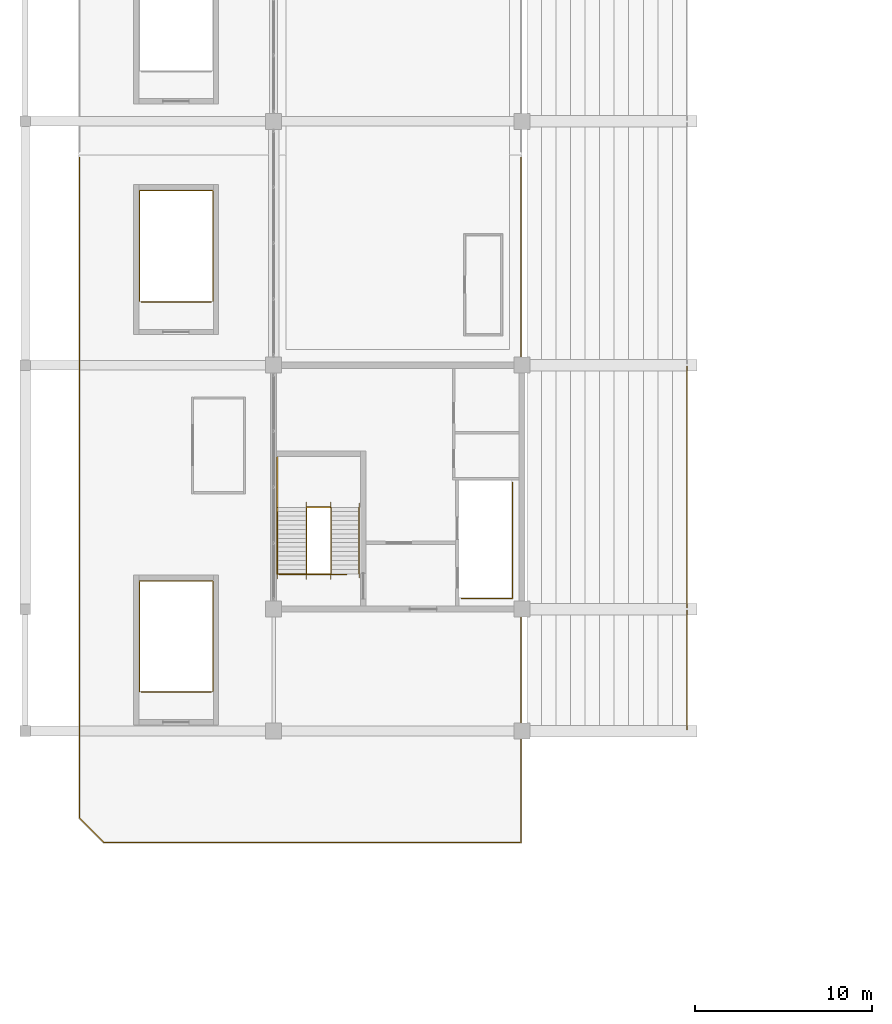
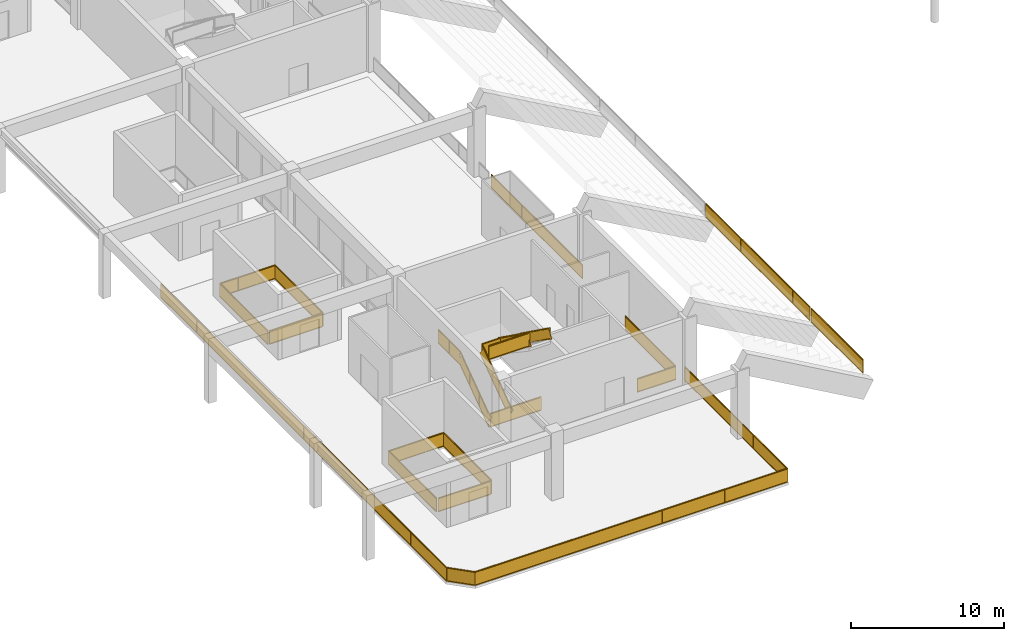
# One storey, part 80 of 90: 14 railings.
"""IFC4 building model written with IfcOpenShell, lengths in metres."""

from ifc_helpers import new_model, si_unit, direction, frame, origin, origin_2d, place, context, subcontext, project, spatial, rectangle, extrude, material, type_object, element, save


model = new_model("IFC4")

# Units and contexts
model_context = context("Model", 3, precision=1e-05, world=origin(), true_north=direction((0.0, 1.0)))
body_context = subcontext(model_context, "Body", "Model", "MODEL_VIEW")
ifc_project = project(units=[si_unit("LENGTHUNIT", "METRE"), si_unit("AREAUNIT", "SQUARE_METRE"), si_unit("VOLUMEUNIT", "CUBIC_METRE"), si_unit("PLANEANGLEUNIT", "RADIAN"), si_unit("MASSUNIT", "GRAM", prefix="KILO")], contexts=[model_context])

# Site, building, storey
site_placement = place(None, origin())
site = spatial("IfcSite", under=ifc_project, at=site_placement, CompositionType="ELEMENT")
building_placement = place(site_placement, origin())
building = spatial("IfcBuilding", under=site, at=building_placement, Name="Linyun Crest Stadium", CompositionType="ELEMENT")
storey_placement = place(building_placement, frame((0.0, 0.0, 21.0)))
storey = spatial("IfcBuildingStorey", under=building, at=storey_placement, Name="L05", CompositionType="ELEMENT", Elevation=21.0)

# Railings
ifc_material_1 = material(Name="Galvanized and powder-coated steel bowl safety barrier", Category="steel")
railing_type_1 = type_object("IfcRailingType", Name="GR02", PredefinedType="GUARDRAIL", material=ifc_material_1)
railing_1_placement = place(storey_placement, frame((-60.699951171875, -45.919921875, 1.550048828125)))
element("IfcRailing", 1, at=railing_1_placement, inside=storey, type_object=railing_type_1, Name="Bowl front safety guard GR02 4", PredefinedType="GUARDRAIL", context=body_context, shape_type="SweptSolid", body=[
    extrude(rectangle(XDim=0.06005859375, YDim=0.06005859375, at=origin_2d()), frame((0.0, 0.0, 1.090087890625), z_axis=(0.0, 1.0, 0.0), x_axis=(-1.0, 0.0, 0.0)), (0.0, 0.0, 1.0), 6.71484375),
    extrude(rectangle(XDim=0.030029296875, YDim=1.0, at=origin_2d()), frame((0.0, 0.0, 0.56005859375), z_axis=(0.0, 1.0, 0.0), x_axis=(-1.0, 0.0, 0.0)), (0.0, 0.0, 1.0), 6.71484375),
    extrude(rectangle(XDim=0.06005859375, YDim=0.06005859375, at=origin_2d()), frame((0.0, 0.0, 0.030029296875), z_axis=(0.0, 1.0, 0.0), x_axis=(-1.0, 0.0, 0.0)), (0.0, 0.0, 1.0), 6.71484375),
    extrude(rectangle(XDim=0.050048828125, YDim=0.050048828125, at=origin_2d()), origin(), (0.0, 0.0, 1.0), 1.1201171875),
    extrude(rectangle(XDim=0.050048828125, YDim=0.050048828125, at=origin_2d()), frame((0.0, 2.23828125, 0.0)), (0.0, 0.0, 1.0), 1.1201171875),
    extrude(rectangle(XDim=0.050048828125, YDim=0.050048828125, at=origin_2d()), frame((0.0, 4.4765625, 0.0)), (0.0, 0.0, 1.0), 1.1201171875),
    extrude(rectangle(XDim=0.050048828125, YDim=0.050048828125, at=origin_2d()), frame((0.0, 6.71484375, 0.0)), (0.0, 0.0, 1.0), 1.1201171875),
])
railing_2_placement = place(storey_placement, frame((-60.699951171875, -39.044921875, 1.550048828125)))
element("IfcRailing", 2, at=railing_2_placement, inside=storey, type_object=railing_type_1, Name="Bowl front safety guard GR02 12", PredefinedType="GUARDRAIL", context=body_context, shape_type="SweptSolid", body=[
    extrude(rectangle(XDim=0.06005859375, YDim=0.06005859375, at=origin_2d()), frame((0.0, 0.0, 1.090087890625), z_axis=(0.0, 1.0, 0.0), x_axis=(-1.0, 0.0, 0.0)), (0.0, 0.0, 1.0), 13.58984375),
    extrude(rectangle(XDim=0.030029296875, YDim=1.0, at=origin_2d()), frame((0.0, 0.0, 0.56005859375), z_axis=(0.0, 1.0, 0.0), x_axis=(-1.0, 0.0, 0.0)), (0.0, 0.0, 1.0), 13.58984375),
    extrude(rectangle(XDim=0.06005859375, YDim=0.06005859375, at=origin_2d()), frame((0.0, 0.0, 0.030029296875), z_axis=(0.0, 1.0, 0.0), x_axis=(-1.0, 0.0, 0.0)), (0.0, 0.0, 1.0), 13.58984375),
    extrude(rectangle(XDim=0.050048828125, YDim=0.050048828125, at=origin_2d()), origin(), (0.0, 0.0, 1.0), 1.1201171875),
    extrude(rectangle(XDim=0.050048828125, YDim=0.050048828125, at=origin_2d()), frame((0.0, 2.264892578125, 0.0)), (0.0, 0.0, 1.0), 1.1201171875),
    extrude(rectangle(XDim=0.050048828125, YDim=0.050048828125, at=origin_2d()), frame((0.0, 4.530029296875, 0.0)), (0.0, 0.0, 1.0), 1.1201171875),
    extrude(rectangle(XDim=0.050048828125, YDim=0.050048828125, at=origin_2d()), frame((0.0, 6.794921875, 0.0)), (0.0, 0.0, 1.0), 1.1201171875),
    extrude(rectangle(XDim=0.050048828125, YDim=0.050048828125, at=origin_2d()), frame((0.0, 9.059814453125, 0.0)), (0.0, 0.0, 1.0), 1.1201171875),
    extrude(rectangle(XDim=0.050048828125, YDim=0.050048828125, at=origin_2d()), frame((0.0, 11.324951171875, 0.0)), (0.0, 0.0, 1.0), 1.1201171875),
    extrude(rectangle(XDim=0.050048828125, YDim=0.050048828125, at=origin_2d()), frame((0.0, 13.58984375, 0.0)), (0.0, 0.0, 1.0), 1.1201171875),
])
railing_3_placement = place(storey_placement, frame((-93.574951171875, -52.27490234375, 0.0)))
element("IfcRailing", 3, at=railing_3_placement, inside=storey, type_object=railing_type_1, Name="Slab edge balustrade GR02 66", PredefinedType="GUARDRAIL", context=body_context, shape_type="SweptSolid", body=[
    extrude(rectangle(XDim=0.06005859375, YDim=0.06005859375, at=origin_2d()), frame((0.0, 0.0, 1.090087890625), z_axis=(-0.707106781187, 0.707106781187, 0.0), x_axis=(-0.707106781187, -0.707106781187, 0.0)), (0.0, 0.0, 1.0), 1.930419921875),
    extrude(rectangle(XDim=0.030029296875, YDim=1.0, at=origin_2d()), frame((0.0, 0.0, 0.56005859375), z_axis=(-0.707106781187, 0.707106781187, 0.0), x_axis=(-0.707106781187, -0.707106781187, 0.0)), (0.0, 0.0, 1.0), 1.930419921875),
    extrude(rectangle(XDim=0.06005859375, YDim=0.06005859375, at=origin_2d()), frame((0.0, 0.0, 0.030029296875), z_axis=(-0.707106781187, 0.707106781187, 0.0), x_axis=(-0.707106781187, -0.707106781187, 0.0)), (0.0, 0.0, 1.0), 1.930419921875),
    extrude(rectangle(XDim=0.06005859375, YDim=0.06005859375, at=origin_2d()), frame((-1.364990234375, 1.364990234375, 1.090087890625), z_axis=(0.0, 1.0, 0.0), x_axis=(-1.0, 0.0, 0.0)), (0.0, 0.0, 1.0), 37.239990234375),
    extrude(rectangle(XDim=0.030029296875, YDim=1.0, at=origin_2d()), frame((-1.364990234375, 1.364990234375, 0.56005859375), z_axis=(0.0, 1.0, 0.0), x_axis=(-1.0, 0.0, 0.0)), (0.0, 0.0, 1.0), 37.239990234375),
    extrude(rectangle(XDim=0.06005859375, YDim=0.06005859375, at=origin_2d()), frame((-1.364990234375, 1.364990234375, 0.030029296875), z_axis=(0.0, 1.0, 0.0), x_axis=(-1.0, 0.0, 0.0)), (0.0, 0.0, 1.0), 37.239990234375),
    extrude(rectangle(XDim=0.050048828125, YDim=0.050048828125, at=origin_2d()), origin(), (0.0, 0.0, 1.0), 1.1201171875),
    extrude(rectangle(XDim=0.050048828125, YDim=0.050048828125, at=origin_2d()), frame((-1.364990234375, 1.364990234375, 0.0)), (0.0, 0.0, 1.0), 1.1201171875),
    extrude(rectangle(XDim=0.050048828125, YDim=0.050048828125, at=origin_2d()), frame((-1.364990234375, 6.02001953125, 0.0)), (0.0, 0.0, 1.0), 1.1201171875),
    extrude(rectangle(XDim=0.050048828125, YDim=0.050048828125, at=origin_2d()), frame((-1.364990234375, 10.675048828125, 0.0)), (0.0, 0.0, 1.0), 1.1201171875),
    extrude(rectangle(XDim=0.050048828125, YDim=0.050048828125, at=origin_2d()), frame((-1.364990234375, 15.330078125, 0.0)), (0.0, 0.0, 1.0), 1.1201171875),
    extrude(rectangle(XDim=0.050048828125, YDim=0.050048828125, at=origin_2d()), frame((-1.364990234375, 19.98486328125, 0.0)), (0.0, 0.0, 1.0), 1.1201171875),
    extrude(rectangle(XDim=0.050048828125, YDim=0.050048828125, at=origin_2d()), frame((-1.364990234375, 24.639892578125, 0.0)), (0.0, 0.0, 1.0), 1.1201171875),
    extrude(rectangle(XDim=0.050048828125, YDim=0.050048828125, at=origin_2d()), frame((-1.364990234375, 29.294921875, 0.0)), (0.0, 0.0, 1.0), 1.1201171875),
    extrude(rectangle(XDim=0.050048828125, YDim=0.050048828125, at=origin_2d()), frame((-1.364990234375, 33.949951171875, 0.0)), (0.0, 0.0, 1.0), 1.1201171875),
    extrude(rectangle(XDim=0.050048828125, YDim=0.050048828125, at=origin_2d()), frame((-1.364990234375, 38.60498046875, 0.0)), (0.0, 0.0, 1.0), 1.1201171875),
])
railing_4_placement = place(storey_placement, frame((-70.06005859375, -13.669921875, 0.0)))
element("IfcRailing", 4, at=railing_4_placement, inside=storey, type_object=railing_type_1, Name="Slab edge balustrade GR02 67", PredefinedType="GUARDRAIL", context=body_context, shape_type="SweptSolid", body=[
    extrude(rectangle(XDim=0.06005859375, YDim=0.06005859375, at=origin_2d()), frame((0.0, 0.0, 1.090087890625), z_axis=(0.0, -1.0, 0.0), x_axis=(1.0, 0.0, 0.0)), (0.0, 0.0, 1.0), 11.880126953125),
    extrude(rectangle(XDim=0.030029296875, YDim=1.0, at=origin_2d()), frame((0.0, 0.0, 0.56005859375), z_axis=(0.0, -1.0, 0.0), x_axis=(1.0, 0.0, 0.0)), (0.0, 0.0, 1.0), 11.880126953125),
    extrude(rectangle(XDim=0.06005859375, YDim=0.06005859375, at=origin_2d()), frame((0.0, 0.0, 0.030029296875), z_axis=(0.0, -1.0, 0.0), x_axis=(1.0, 0.0, 0.0)), (0.0, 0.0, 1.0), 11.880126953125),
    extrude(rectangle(XDim=0.050048828125, YDim=0.050048828125, at=origin_2d()), origin(), (0.0, 0.0, 1.0), 1.1201171875),
    extrude(rectangle(XDim=0.050048828125, YDim=0.050048828125, at=origin_2d()), frame((0.0, -3.9599609375, 0.0)), (0.0, 0.0, 1.0), 1.1201171875),
    extrude(rectangle(XDim=0.050048828125, YDim=0.050048828125, at=origin_2d()), frame((0.0, -7.920166015625, 0.0)), (0.0, 0.0, 1.0), 1.1201171875),
    extrude(rectangle(XDim=0.050048828125, YDim=0.050048828125, at=origin_2d()), frame((0.0, -11.880126953125, 0.0)), (0.0, 0.0, 1.0), 1.1201171875),
])
railing_5_placement = place(storey_placement, frame((-70.06005859375, -38.949951171875, 0.0)))
element("IfcRailing", 5, at=railing_5_placement, inside=storey, type_object=railing_type_1, Name="Slab edge balustrade GR02 68", PredefinedType="GUARDRAIL", context=body_context, shape_type="SweptSolid", body=[
    extrude(rectangle(XDim=0.06005859375, YDim=0.06005859375, at=origin_2d()), frame((0.0, 0.0, 1.090087890625), z_axis=(0.0, -1.0, 0.0), x_axis=(1.0, 0.0, 0.0)), (0.0, 0.0, 1.0), 13.324951171875),
    extrude(rectangle(XDim=0.030029296875, YDim=1.0, at=origin_2d()), frame((0.0, 0.0, 0.56005859375), z_axis=(0.0, -1.0, 0.0), x_axis=(1.0, 0.0, 0.0)), (0.0, 0.0, 1.0), 13.324951171875),
    extrude(rectangle(XDim=0.06005859375, YDim=0.06005859375, at=origin_2d()), frame((0.0, 0.0, 0.030029296875), z_axis=(0.0, -1.0, 0.0), x_axis=(1.0, 0.0, 0.0)), (0.0, 0.0, 1.0), 13.324951171875),
    extrude(rectangle(XDim=0.06005859375, YDim=0.06005859375, at=origin_2d()), frame((0.0, -13.324951171875, 1.090087890625), z_axis=(-1.0, 0.0, 0.0), x_axis=(0.0, -1.0, 0.0)), (0.0, 0.0, 1.0), 23.514892578125),
    extrude(rectangle(XDim=0.030029296875, YDim=1.0, at=origin_2d()), frame((0.0, -13.324951171875, 0.56005859375), z_axis=(-1.0, 0.0, 0.0), x_axis=(0.0, -1.0, 0.0)), (0.0, 0.0, 1.0), 23.514892578125),
    extrude(rectangle(XDim=0.06005859375, YDim=0.06005859375, at=origin_2d()), frame((0.0, -13.324951171875, 0.030029296875), z_axis=(-1.0, 0.0, 0.0), x_axis=(0.0, -1.0, 0.0)), (0.0, 0.0, 1.0), 23.514892578125),
    extrude(rectangle(XDim=0.050048828125, YDim=0.050048828125, at=origin_2d()), origin(), (0.0, 0.0, 1.0), 1.1201171875),
    extrude(rectangle(XDim=0.050048828125, YDim=0.050048828125, at=origin_2d()), frame((0.0, -4.441650390625, 0.0)), (0.0, 0.0, 1.0), 1.1201171875),
    extrude(rectangle(XDim=0.050048828125, YDim=0.050048828125, at=origin_2d()), frame((0.0, -8.88330078125, 0.0)), (0.0, 0.0, 1.0), 1.1201171875),
    extrude(rectangle(XDim=0.050048828125, YDim=0.050048828125, at=origin_2d()), frame((0.0, -13.324951171875, 0.0)), (0.0, 0.0, 1.0), 1.1201171875),
    extrude(rectangle(XDim=0.050048828125, YDim=0.050048828125, at=origin_2d()), frame((-4.702880859375, -13.324951171875, 0.0)), (0.0, 0.0, 1.0), 1.1201171875),
    extrude(rectangle(XDim=0.050048828125, YDim=0.050048828125, at=origin_2d()), frame((-9.406005859375, -13.324951171875, 0.0)), (0.0, 0.0, 1.0), 1.1201171875),
    extrude(rectangle(XDim=0.050048828125, YDim=0.050048828125, at=origin_2d()), frame((-14.10888671875, -13.324951171875, 0.0)), (0.0, 0.0, 1.0), 1.1201171875),
    extrude(rectangle(XDim=0.050048828125, YDim=0.050048828125, at=origin_2d()), frame((-18.81201171875, -13.324951171875, 0.0)), (0.0, 0.0, 1.0), 1.1201171875),
    extrude(rectangle(XDim=0.050048828125, YDim=0.050048828125, at=origin_2d()), frame((-23.514892578125, -13.324951171875, 0.0)), (0.0, 0.0, 1.0), 1.1201171875),
])
railing_6_placement = place(storey_placement, frame((-73.419921875, -38.534912109375, 0.0)))
element("IfcRailing", 6, at=railing_6_placement, inside=storey, type_object=railing_type_1, Name="Slab edge balustrade GR02 69", PredefinedType="GUARDRAIL", context=body_context, shape_type="SweptSolid", body=[
    extrude(rectangle(XDim=0.06005859375, YDim=0.06005859375, at=origin_2d()), frame((0.0, 0.0, 1.090087890625), z_axis=(1.0, 0.0, 0.0), x_axis=(0.0, 1.0, 0.0)), (0.0, 0.0, 1.0), 2.8798828125),
    extrude(rectangle(XDim=0.030029296875, YDim=1.0, at=origin_2d()), frame((0.0, 0.0, 0.56005859375), z_axis=(1.0, 0.0, 0.0), x_axis=(0.0, 1.0, 0.0)), (0.0, 0.0, 1.0), 2.8798828125),
    extrude(rectangle(XDim=0.06005859375, YDim=0.06005859375, at=origin_2d()), frame((0.0, 0.0, 0.030029296875), z_axis=(1.0, 0.0, 0.0), x_axis=(0.0, 1.0, 0.0)), (0.0, 0.0, 1.0), 2.8798828125),
    extrude(rectangle(XDim=0.06005859375, YDim=0.06005859375, at=origin_2d()), frame((2.8798828125, 0.0, 1.090087890625), z_axis=(0.0, 1.0, 0.0), x_axis=(-1.0, 0.0, 0.0)), (0.0, 0.0, 1.0), 6.5498046875),
    extrude(rectangle(XDim=0.030029296875, YDim=1.0, at=origin_2d()), frame((2.8798828125, 0.0, 0.56005859375), z_axis=(0.0, 1.0, 0.0), x_axis=(-1.0, 0.0, 0.0)), (0.0, 0.0, 1.0), 6.5498046875),
    extrude(rectangle(XDim=0.06005859375, YDim=0.06005859375, at=origin_2d()), frame((2.8798828125, 0.0, 0.030029296875), z_axis=(0.0, 1.0, 0.0), x_axis=(-1.0, 0.0, 0.0)), (0.0, 0.0, 1.0), 6.5498046875),
    extrude(rectangle(XDim=0.050048828125, YDim=0.050048828125, at=origin_2d()), origin(), (0.0, 0.0, 1.0), 1.1201171875),
    extrude(rectangle(XDim=0.050048828125, YDim=0.050048828125, at=origin_2d()), frame((2.8798828125, 0.0, 0.0)), (0.0, 0.0, 1.0), 1.1201171875),
    extrude(rectangle(XDim=0.050048828125, YDim=0.050048828125, at=origin_2d()), frame((2.8798828125, 3.27490234375, 0.0)), (0.0, 0.0, 1.0), 1.1201171875),
    extrude(rectangle(XDim=0.050048828125, YDim=0.050048828125, at=origin_2d()), frame((2.8798828125, 6.5498046875, 0.0)), (0.0, 0.0, 1.0), 1.1201171875),
])
railing_7_placement = place(storey_placement, frame((-83.68505859375, -37.1650390625, 0.0)))
element("IfcRailing", 7, at=railing_7_placement, inside=storey, type_object=railing_type_1, Name="Slab edge balustrade GR02 70", PredefinedType="GUARDRAIL", context=body_context, shape_type="SweptSolid", body=[
    extrude(rectangle(XDim=0.06005859375, YDim=0.06005859375, at=origin_2d()), frame((0.0, 0.0, 1.090087890625), z_axis=(1.0, 0.0, 0.0), x_axis=(0.0, 1.0, 0.0)), (0.0, 0.0, 1.0), 3.78515625),
    extrude(rectangle(XDim=0.030029296875, YDim=1.0, at=origin_2d()), frame((0.0, 0.0, 0.56005859375), z_axis=(1.0, 0.0, 0.0), x_axis=(0.0, 1.0, 0.0)), (0.0, 0.0, 1.0), 3.78515625),
    extrude(rectangle(XDim=0.06005859375, YDim=0.06005859375, at=origin_2d()), frame((0.0, 0.0, 0.030029296875), z_axis=(1.0, 0.0, 0.0), x_axis=(0.0, 1.0, 0.0)), (0.0, 0.0, 1.0), 3.78515625),
    extrude(rectangle(XDim=0.050048828125, YDim=0.050048828125, at=origin_2d()), origin(), (0.0, 0.0, 1.0), 1.1201171875),
    extrude(rectangle(XDim=0.050048828125, YDim=0.050048828125, at=origin_2d()), frame((3.78515625, 0.0, 0.0)), (0.0, 0.0, 1.0), 1.1201171875),
])
for number, where, name in (
    (8, (-91.4599609375, -43.81005859375, 0.0), "Slab edge balustrade GR02 71"),
    (9, (-91.4599609375, -21.81005859375, 0.0), "Slab edge balustrade GR02 72"),
):
    element("IfcRailing", number, at=place(storey_placement, frame(where)), inside=storey, type_object=railing_type_1, Name=name, PredefinedType="GUARDRAIL", context=body_context, shape_type="SweptSolid", body=[
        extrude(rectangle(XDim=0.06005859375, YDim=0.06005859375, at=origin_2d()), frame((0.0, 0.0, 1.090087890625), z_axis=(1.0, 0.0, 0.0), x_axis=(0.0, 1.0, 0.0)), (0.0, 0.0, 1.0), 3.919921875),
        extrude(rectangle(XDim=0.030029296875, YDim=1.0, at=origin_2d()), frame((0.0, 0.0, 0.56005859375), z_axis=(1.0, 0.0, 0.0), x_axis=(0.0, 1.0, 0.0)), (0.0, 0.0, 1.0), 3.919921875),
        extrude(rectangle(XDim=0.06005859375, YDim=0.06005859375, at=origin_2d()), frame((0.0, 0.0, 0.030029296875), z_axis=(1.0, 0.0, 0.0), x_axis=(0.0, 1.0, 0.0)), (0.0, 0.0, 1.0), 3.919921875),
        extrude(rectangle(XDim=0.050048828125, YDim=0.050048828125, at=origin_2d()), origin(), (0.0, 0.0, 1.0), 1.1201171875),
        extrude(rectangle(XDim=0.050048828125, YDim=0.050048828125, at=origin_2d()), frame((3.919921875, 0.0, 0.0)), (0.0, 0.0, 1.0), 1.1201171875),
    ])
ifc_material_2 = material(Name="Painted steel stairwell safety guard", Category="steel")
railing_type_2 = type_object("IfcRailingType", Name="GR03", PredefinedType="GUARDRAIL", material=ifc_material_2)
railing_8_placement = place(storey_placement, frame((-83.794921875, -37.135009765625, 0.0)))
element("IfcRailing", 10, at=railing_8_placement, inside=storey, type_object=railing_type_2, Name="STR-01-L05 outer guard", PredefinedType="GUARDRAIL", context=body_context, shape_type="SweptSolid", body=[
    extrude(rectangle(XDim=0.06005859375, YDim=0.06005859375, at=origin_2d()), frame((0.0, 0.0, 1.090087890625), z_axis=(0.0, 0.811539352079, 0.584297766578), x_axis=(-1.0, 0.0, 0.0)), (0.0, 0.0, 1.0), 4.620849609375),
    extrude(rectangle(XDim=0.030029296875, YDim=1.0, at=origin_2d()), frame((0.0, 0.0, 0.56005859375), z_axis=(0.0, 0.811539352079, 0.584297766578), x_axis=(-1.0, 0.0, 0.0)), (0.0, 0.0, 1.0), 4.620849609375),
    extrude(rectangle(XDim=0.06005859375, YDim=0.06005859375, at=origin_2d()), frame((0.0, 0.0, 0.030029296875), z_axis=(0.0, 0.811539352079, 0.584297766578), x_axis=(-1.0, 0.0, 0.0)), (0.0, 0.0, 1.0), 4.620849609375),
    extrude(rectangle(XDim=0.06005859375, YDim=0.06005859375, at=origin_2d()), frame((0.0, 3.75, 3.7900390625), z_axis=(0.0, 1.0, 0.0), x_axis=(-1.0, 0.0, 0.0)), (0.0, 0.0, 1.0), 2.830078125),
    extrude(rectangle(XDim=0.030029296875, YDim=1.0, at=origin_2d()), frame((0.0, 3.75, 3.260009765625), z_axis=(0.0, 1.0, 0.0), x_axis=(-1.0, 0.0, 0.0)), (0.0, 0.0, 1.0), 2.830078125),
    extrude(rectangle(XDim=0.06005859375, YDim=0.06005859375, at=origin_2d()), frame((0.0, 3.75, 2.72998046875), z_axis=(0.0, 1.0, 0.0), x_axis=(-1.0, 0.0, 0.0)), (0.0, 0.0, 1.0), 2.830078125),
    extrude(rectangle(XDim=0.050048828125, YDim=0.050048828125, at=origin_2d()), origin(), (0.0, 0.0, 1.0), 1.1201171875),
    extrude(rectangle(XDim=0.050048828125, YDim=0.050048828125, at=origin_2d()), frame((0.0, 1.25, 0.89990234375)), (0.0, 0.0, 1.0), 1.1201171875),
    extrude(rectangle(XDim=0.050048828125, YDim=0.050048828125, at=origin_2d()), frame((0.0, 2.5, 1.800048828125)), (0.0, 0.0, 1.0), 1.1201171875),
    extrude(rectangle(XDim=0.050048828125, YDim=0.050048828125, at=origin_2d()), frame((0.0, 3.75, 2.699951171875)), (0.0, 0.0, 1.0), 1.1201171875),
    extrude(rectangle(XDim=0.050048828125, YDim=0.050048828125, at=origin_2d()), frame((0.0, 5.1650390625, 2.699951171875)), (0.0, 0.0, 1.0), 1.1201171875),
    extrude(rectangle(XDim=0.050048828125, YDim=0.050048828125, at=origin_2d()), frame((0.0, 6.580078125, 2.699951171875)), (0.0, 0.0, 1.0), 1.1201171875),
])
railing_9_placement = place(storey_placement, frame((-82.155029296875, -37.155029296875, 0.0)))
element("IfcRailing", 11, at=railing_9_placement, inside=storey, type_object=railing_type_2, Name="STR-01-L05 inner well guard", PredefinedType="GUARDRAIL", context=body_context, shape_type="SweptSolid", body=[
    extrude(rectangle(XDim=0.06005859375, YDim=0.06005859375, at=origin_2d()), frame((0.0, 0.0, 1.090087890625), z_axis=(0.0, 0.813010693788, 0.582248754216), x_axis=(-1.0, 0.0, 0.0)), (0.0, 0.0, 1.0), 4.63720703125),
    extrude(rectangle(XDim=0.030029296875, YDim=1.0, at=origin_2d()), frame((0.0, 0.0, 0.56005859375), z_axis=(0.0, 0.813010693788, 0.582248754216), x_axis=(-1.0, 0.0, 0.0)), (0.0, 0.0, 1.0), 4.63720703125),
    extrude(rectangle(XDim=0.06005859375, YDim=0.06005859375, at=origin_2d()), frame((0.0, 0.0, 0.030029296875), z_axis=(0.0, 0.813010693788, 0.582248754216), x_axis=(-1.0, 0.0, 0.0)), (0.0, 0.0, 1.0), 4.63720703125),
    extrude(rectangle(XDim=0.06005859375, YDim=0.06005859375, at=origin_2d()), frame((0.0, 3.77001953125, 3.7900390625), z_axis=(1.0, 0.0, 0.0), x_axis=(0.0, 1.0, 0.0)), (0.0, 0.0, 1.0), 1.385009765625),
    extrude(rectangle(XDim=0.030029296875, YDim=1.0, at=origin_2d()), frame((0.0, 3.77001953125, 3.260009765625), z_axis=(1.0, 0.0, 0.0), x_axis=(0.0, 1.0, 0.0)), (0.0, 0.0, 1.0), 1.385009765625),
    extrude(rectangle(XDim=0.06005859375, YDim=0.06005859375, at=origin_2d()), frame((0.0, 3.77001953125, 2.72998046875), z_axis=(1.0, 0.0, 0.0), x_axis=(0.0, 1.0, 0.0)), (0.0, 0.0, 1.0), 1.385009765625),
    extrude(rectangle(XDim=0.06005859375, YDim=0.06005859375, at=origin_2d()), frame((1.385009765625, 3.77001953125, 3.7900390625), z_axis=(0.0, -0.813010693788, 0.582248754216), x_axis=(1.0, 0.0, 0.0)), (0.0, 0.0, 1.0), 4.63720703125),
    extrude(rectangle(XDim=0.030029296875, YDim=1.0, at=origin_2d()), frame((1.385009765625, 3.77001953125, 3.260009765625), z_axis=(0.0, -0.813010693788, 0.582248754216), x_axis=(1.0, 0.0, 0.0)), (0.0, 0.0, 1.0), 4.63720703125),
    extrude(rectangle(XDim=0.06005859375, YDim=0.06005859375, at=origin_2d()), frame((1.385009765625, 3.77001953125, 2.72998046875), z_axis=(0.0, -0.813010693788, 0.582248754216), x_axis=(1.0, 0.0, 0.0)), (0.0, 0.0, 1.0), 4.63720703125),
    extrude(rectangle(XDim=0.06005859375, YDim=0.06005859375, at=origin_2d()), frame((1.385009765625, 0.0, 6.489990234375), z_axis=(-1.0, 0.0, 0.0), x_axis=(0.0, -1.0, 0.0)), (0.0, 0.0, 1.0), 3.034912109375),
    extrude(rectangle(XDim=0.030029296875, YDim=1.0, at=origin_2d()), frame((1.385009765625, 0.0, 5.9599609375), z_axis=(-1.0, 0.0, 0.0), x_axis=(0.0, -1.0, 0.0)), (0.0, 0.0, 1.0), 3.034912109375),
    extrude(rectangle(XDim=0.06005859375, YDim=0.06005859375, at=origin_2d()), frame((1.385009765625, 0.0, 5.429931640625), z_axis=(-1.0, 0.0, 0.0), x_axis=(0.0, -1.0, 0.0)), (0.0, 0.0, 1.0), 3.034912109375),
    extrude(rectangle(XDim=0.050048828125, YDim=0.050048828125, at=origin_2d()), origin(), (0.0, 0.0, 1.0), 1.1201171875),
    extrude(rectangle(XDim=0.050048828125, YDim=0.050048828125, at=origin_2d()), frame((0.0, 1.256591796875, 0.89990234375)), (0.0, 0.0, 1.0), 1.1201171875),
    extrude(rectangle(XDim=0.050048828125, YDim=0.050048828125, at=origin_2d()), frame((0.0, 2.513427734375, 1.800048828125)), (0.0, 0.0, 1.0), 1.1201171875),
    extrude(rectangle(XDim=0.050048828125, YDim=0.050048828125, at=origin_2d()), frame((0.0, 3.77001953125, 2.699951171875)), (0.0, 0.0, 1.0), 1.1201171875),
    extrude(rectangle(XDim=0.050048828125, YDim=0.050048828125, at=origin_2d()), frame((1.385009765625, 3.77001953125, 2.699951171875)), (0.0, 0.0, 1.0), 1.1201171875),
    extrude(rectangle(XDim=0.050048828125, YDim=0.050048828125, at=origin_2d()), frame((1.385009765625, 2.513427734375, 3.599853515625)), (0.0, 0.0, 1.0), 1.1201171875),
    extrude(rectangle(XDim=0.050048828125, YDim=0.050048828125, at=origin_2d()), frame((1.385009765625, 1.256591796875, 4.5)), (0.0, 0.0, 1.0), 1.1201171875),
    extrude(rectangle(XDim=0.050048828125, YDim=0.050048828125, at=origin_2d()), frame((1.385009765625, 0.0, 5.39990234375)), (0.0, 0.0, 1.0), 1.1201171875),
    extrude(rectangle(XDim=0.050048828125, YDim=0.050048828125, at=origin_2d()), frame((-0.13232421875, 0.0, 5.39990234375)), (0.0, 0.0, 1.0), 1.1201171875),
    extrude(rectangle(XDim=0.050048828125, YDim=0.050048828125, at=origin_2d()), frame((-1.64990234375, 0.0, 5.39990234375)), (0.0, 0.0, 1.0), 1.1201171875),
])
railing_10_placement = place(storey_placement, frame((-91.570068359375, -43.77001953125, 0.0)))
element("IfcRailing", 12, at=railing_10_placement, inside=storey, type_object=railing_type_2, Name="STR-13-L04 top well guard", PredefinedType="GUARDRAIL", context=body_context, shape_type="SweptSolid", body=[
    extrude(rectangle(XDim=0.06005859375, YDim=0.06005859375, at=origin_2d()), frame((0.0, 0.0, 1.090087890625), z_axis=(0.0, 1.0, 0.0), x_axis=(-1.0, 0.0, 0.0)), (0.0, 0.0, 1.0), 6.239990234375),
    extrude(rectangle(XDim=0.030029296875, YDim=1.0, at=origin_2d()), frame((0.0, 0.0, 0.56005859375), z_axis=(0.0, 1.0, 0.0), x_axis=(-1.0, 0.0, 0.0)), (0.0, 0.0, 1.0), 6.239990234375),
    extrude(rectangle(XDim=0.06005859375, YDim=0.06005859375, at=origin_2d()), frame((0.0, 0.0, 0.030029296875), z_axis=(0.0, 1.0, 0.0), x_axis=(-1.0, 0.0, 0.0)), (0.0, 0.0, 1.0), 6.239990234375),
    extrude(rectangle(XDim=0.06005859375, YDim=0.06005859375, at=origin_2d()), frame((0.0, 6.239990234375, 1.090087890625), z_axis=(1.0, 0.0, 0.0), x_axis=(0.0, 1.0, 0.0)), (0.0, 0.0, 1.0), 4.14013671875),
    extrude(rectangle(XDim=0.030029296875, YDim=1.0, at=origin_2d()), frame((0.0, 6.239990234375, 0.56005859375), z_axis=(1.0, 0.0, 0.0), x_axis=(0.0, 1.0, 0.0)), (0.0, 0.0, 1.0), 4.14013671875),
    extrude(rectangle(XDim=0.06005859375, YDim=0.06005859375, at=origin_2d()), frame((0.0, 6.239990234375, 0.030029296875), z_axis=(1.0, 0.0, 0.0), x_axis=(0.0, 1.0, 0.0)), (0.0, 0.0, 1.0), 4.14013671875),
    extrude(rectangle(XDim=0.06005859375, YDim=0.06005859375, at=origin_2d()), frame((4.14013671875, 6.239990234375, 1.090087890625), z_axis=(0.0, -1.0, 0.0), x_axis=(1.0, 0.0, 0.0)), (0.0, 0.0, 1.0), 6.239990234375),
    extrude(rectangle(XDim=0.030029296875, YDim=1.0, at=origin_2d()), frame((4.14013671875, 6.239990234375, 0.56005859375), z_axis=(0.0, -1.0, 0.0), x_axis=(1.0, 0.0, 0.0)), (0.0, 0.0, 1.0), 6.239990234375),
    extrude(rectangle(XDim=0.06005859375, YDim=0.06005859375, at=origin_2d()), frame((4.14013671875, 6.239990234375, 0.030029296875), z_axis=(0.0, -1.0, 0.0), x_axis=(1.0, 0.0, 0.0)), (0.0, 0.0, 1.0), 6.239990234375),
    extrude(rectangle(XDim=0.050048828125, YDim=0.050048828125, at=origin_2d()), origin(), (0.0, 0.0, 1.0), 1.1201171875),
    extrude(rectangle(XDim=0.050048828125, YDim=0.050048828125, at=origin_2d()), frame((0.0, 1.56005859375, 0.0)), (0.0, 0.0, 1.0), 1.1201171875),
    extrude(rectangle(XDim=0.050048828125, YDim=0.050048828125, at=origin_2d()), frame((0.0, 3.1201171875, 0.0)), (0.0, 0.0, 1.0), 1.1201171875),
    extrude(rectangle(XDim=0.050048828125, YDim=0.050048828125, at=origin_2d()), frame((0.0, 4.679931640625, 0.0)), (0.0, 0.0, 1.0), 1.1201171875),
    extrude(rectangle(XDim=0.050048828125, YDim=0.050048828125, at=origin_2d()), frame((0.0, 6.239990234375, 0.0)), (0.0, 0.0, 1.0), 1.1201171875),
    extrude(rectangle(XDim=0.050048828125, YDim=0.050048828125, at=origin_2d()), frame((1.380126953125, 6.239990234375, 0.0)), (0.0, 0.0, 1.0), 1.1201171875),
    extrude(rectangle(XDim=0.050048828125, YDim=0.050048828125, at=origin_2d()), frame((2.760009765625, 6.239990234375, 0.0)), (0.0, 0.0, 1.0), 1.1201171875),
    extrude(rectangle(XDim=0.050048828125, YDim=0.050048828125, at=origin_2d()), frame((4.14013671875, 6.239990234375, 0.0)), (0.0, 0.0, 1.0), 1.1201171875),
    extrude(rectangle(XDim=0.050048828125, YDim=0.050048828125, at=origin_2d()), frame((4.14013671875, 4.679931640625, 0.0)), (0.0, 0.0, 1.0), 1.1201171875),
    extrude(rectangle(XDim=0.050048828125, YDim=0.050048828125, at=origin_2d()), frame((4.14013671875, 3.1201171875, 0.0)), (0.0, 0.0, 1.0), 1.1201171875),
    extrude(rectangle(XDim=0.050048828125, YDim=0.050048828125, at=origin_2d()), frame((4.14013671875, 1.56005859375, 0.0)), (0.0, 0.0, 1.0), 1.1201171875),
    extrude(rectangle(XDim=0.050048828125, YDim=0.050048828125, at=origin_2d()), frame((4.14013671875, 0.0, 0.0)), (0.0, 0.0, 1.0), 1.1201171875),
])
railing_11_placement = place(storey_placement, frame((-91.570068359375, -21.77001953125, 0.0)))
element("IfcRailing", 13, at=railing_11_placement, inside=storey, type_object=railing_type_2, Name="STR-14-L04 top well guard", PredefinedType="GUARDRAIL", context=body_context, shape_type="SweptSolid", body=[
    extrude(rectangle(XDim=0.06005859375, YDim=0.06005859375, at=origin_2d()), frame((0.0, 0.0, 1.090087890625), z_axis=(0.0, 1.0, 0.0), x_axis=(-1.0, 0.0, 0.0)), (0.0, 0.0, 1.0), 6.239990234375),
    extrude(rectangle(XDim=0.030029296875, YDim=1.0, at=origin_2d()), frame((0.0, 0.0, 0.56005859375), z_axis=(0.0, 1.0, 0.0), x_axis=(-1.0, 0.0, 0.0)), (0.0, 0.0, 1.0), 6.239990234375),
    extrude(rectangle(XDim=0.06005859375, YDim=0.06005859375, at=origin_2d()), frame((0.0, 0.0, 0.030029296875), z_axis=(0.0, 1.0, 0.0), x_axis=(-1.0, 0.0, 0.0)), (0.0, 0.0, 1.0), 6.239990234375),
    extrude(rectangle(XDim=0.06005859375, YDim=0.06005859375, at=origin_2d()), frame((0.0, 6.239990234375, 1.090087890625), z_axis=(1.0, 0.0, 0.0), x_axis=(0.0, 1.0, 0.0)), (0.0, 0.0, 1.0), 4.14013671875),
    extrude(rectangle(XDim=0.030029296875, YDim=1.0, at=origin_2d()), frame((0.0, 6.239990234375, 0.56005859375), z_axis=(1.0, 0.0, 0.0), x_axis=(0.0, 1.0, 0.0)), (0.0, 0.0, 1.0), 4.14013671875),
    extrude(rectangle(XDim=0.06005859375, YDim=0.06005859375, at=origin_2d()), frame((0.0, 6.239990234375, 0.030029296875), z_axis=(1.0, 0.0, 0.0), x_axis=(0.0, 1.0, 0.0)), (0.0, 0.0, 1.0), 4.14013671875),
    extrude(rectangle(XDim=0.06005859375, YDim=0.06005859375, at=origin_2d()), frame((4.14013671875, 6.239990234375, 1.090087890625), z_axis=(0.0, -1.0, 0.0), x_axis=(1.0, 0.0, 0.0)), (0.0, 0.0, 1.0), 6.239990234375),
    extrude(rectangle(XDim=0.030029296875, YDim=1.0, at=origin_2d()), frame((4.14013671875, 6.239990234375, 0.56005859375), z_axis=(0.0, -1.0, 0.0), x_axis=(1.0, 0.0, 0.0)), (0.0, 0.0, 1.0), 6.239990234375),
    extrude(rectangle(XDim=0.06005859375, YDim=0.06005859375, at=origin_2d()), frame((4.14013671875, 6.239990234375, 0.030029296875), z_axis=(0.0, -1.0, 0.0), x_axis=(1.0, 0.0, 0.0)), (0.0, 0.0, 1.0), 6.239990234375),
    extrude(rectangle(XDim=0.050048828125, YDim=0.050048828125, at=origin_2d()), origin(), (0.0, 0.0, 1.0), 1.1201171875),
    extrude(rectangle(XDim=0.050048828125, YDim=0.050048828125, at=origin_2d()), frame((0.0, 1.56005859375, 0.0)), (0.0, 0.0, 1.0), 1.1201171875),
    extrude(rectangle(XDim=0.050048828125, YDim=0.050048828125, at=origin_2d()), frame((0.0, 3.1201171875, 0.0)), (0.0, 0.0, 1.0), 1.1201171875),
    extrude(rectangle(XDim=0.050048828125, YDim=0.050048828125, at=origin_2d()), frame((0.0, 4.679931640625, 0.0)), (0.0, 0.0, 1.0), 1.1201171875),
    extrude(rectangle(XDim=0.050048828125, YDim=0.050048828125, at=origin_2d()), frame((0.0, 6.239990234375, 0.0)), (0.0, 0.0, 1.0), 1.1201171875),
    extrude(rectangle(XDim=0.050048828125, YDim=0.050048828125, at=origin_2d()), frame((1.380126953125, 6.239990234375, 0.0)), (0.0, 0.0, 1.0), 1.1201171875),
    extrude(rectangle(XDim=0.050048828125, YDim=0.050048828125, at=origin_2d()), frame((2.760009765625, 6.239990234375, 0.0)), (0.0, 0.0, 1.0), 1.1201171875),
    extrude(rectangle(XDim=0.050048828125, YDim=0.050048828125, at=origin_2d()), frame((4.14013671875, 6.239990234375, 0.0)), (0.0, 0.0, 1.0), 1.1201171875),
    extrude(rectangle(XDim=0.050048828125, YDim=0.050048828125, at=origin_2d()), frame((4.14013671875, 4.679931640625, 0.0)), (0.0, 0.0, 1.0), 1.1201171875),
    extrude(rectangle(XDim=0.050048828125, YDim=0.050048828125, at=origin_2d()), frame((4.14013671875, 3.1201171875, 0.0)), (0.0, 0.0, 1.0), 1.1201171875),
    extrude(rectangle(XDim=0.050048828125, YDim=0.050048828125, at=origin_2d()), frame((4.14013671875, 1.56005859375, 0.0)), (0.0, 0.0, 1.0), 1.1201171875),
    extrude(rectangle(XDim=0.050048828125, YDim=0.050048828125, at=origin_2d()), frame((4.14013671875, 0.0, 0.0)), (0.0, 0.0, 1.0), 1.1201171875),
])
ifc_material_3 = material(Name="Brushed stainless steel tubular handrail", Category="steel")
railing_type_3 = type_object("IfcRailingType", Name="HR01", PredefinedType="HANDRAIL", material=ifc_material_3)
railing_12_placement = place(storey_placement, frame((-79.179931640625, -33.385009765625, 2.699951171875)))
element("IfcRailing", 14, at=railing_12_placement, inside=storey, type_object=railing_type_3, Name="STR-01-L05 handrail", PredefinedType="HANDRAIL", context=body_context, shape_type="SweptSolid", body=[
    extrude(rectangle(XDim=0.06005859375, YDim=0.06005859375, at=origin_2d()), frame((0.0, 0.0, 0.889892578125), z_axis=(0.0, -0.811539352079, 0.584297766578), x_axis=(1.0, 0.0, 0.0)), (0.0, 0.0, 1.0), 4.620849609375),
    extrude(rectangle(XDim=0.030029296875, YDim=0.7998046875, at=origin_2d()), frame((0.0, 0.0, 0.4599609375), z_axis=(0.0, -0.811539352079, 0.584297766578), x_axis=(1.0, 0.0, 0.0)), (0.0, 0.0, 1.0), 4.620849609375),
    extrude(rectangle(XDim=0.06005859375, YDim=0.06005859375, at=origin_2d()), frame((0.0, 0.0, 0.030029296875), z_axis=(0.0, -0.811539352079, 0.584297766578), x_axis=(1.0, 0.0, 0.0)), (0.0, 0.0, 1.0), 4.620849609375),
    extrude(rectangle(XDim=0.050048828125, YDim=0.050048828125, at=origin_2d()), origin(), (0.0, 0.0, 1.0), 0.919921875),
    extrude(rectangle(XDim=0.050048828125, YDim=0.050048828125, at=origin_2d()), frame((0.0, -1.25, 0.89990234375)), (0.0, 0.0, 1.0), 0.919921875),
    extrude(rectangle(XDim=0.050048828125, YDim=0.050048828125, at=origin_2d()), frame((0.0, -2.5, 1.800048828125)), (0.0, 0.0, 1.0), 0.919921875),
    extrude(rectangle(XDim=0.050048828125, YDim=0.050048828125, at=origin_2d()), frame((0.0, -3.75, 2.699951171875)), (0.0, 0.0, 1.0), 0.919921875),
])

save(model, "model.ifc")
